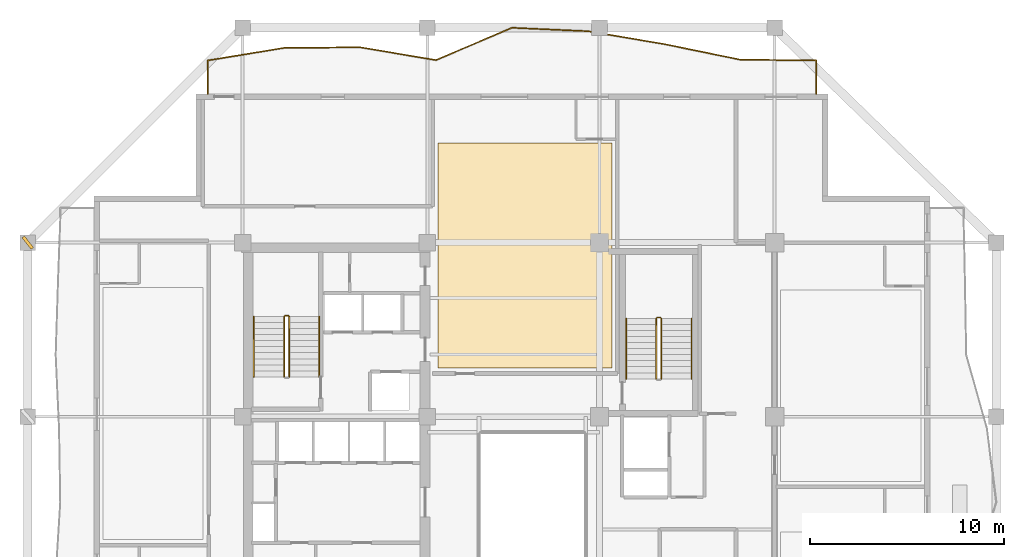
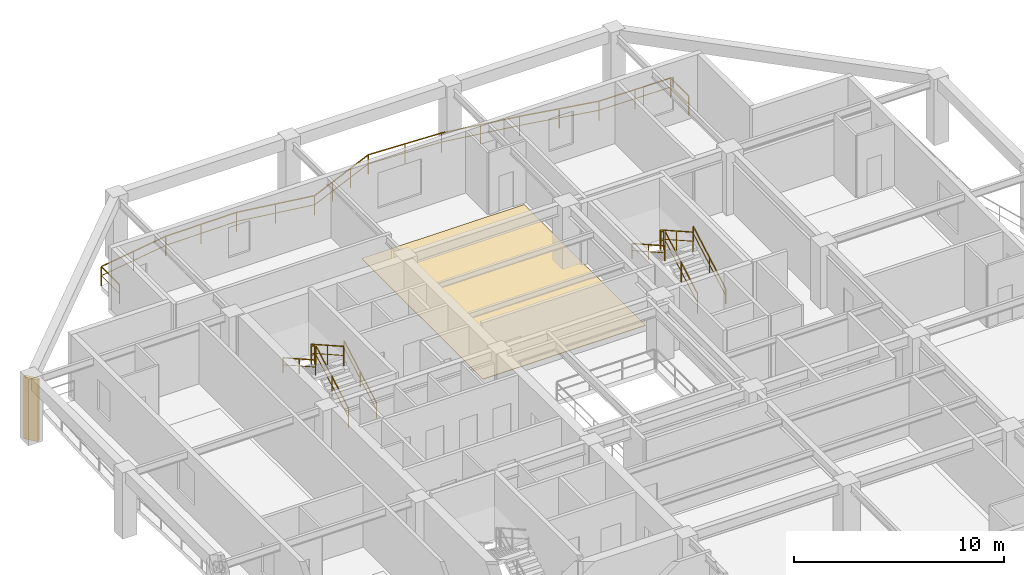
# One storey, part 11 of 12: 11 railings, 1 covering, 1 shading device.
"""IFC4 building model written with IfcOpenShell, lengths in metres."""

from ifc_helpers import new_model, si_unit, direction, frame, origin, origin_2d, place, context, subcontext, project, spatial, polyline, rectangle, outline, extrude, material, layer, layer_set, type_object, element, save


model = new_model("IFC4")

# Units and contexts
model_context = context("Model", 3, precision=1e-05, world=origin(), true_north=direction((0.0, 1.0)))
body_context = subcontext(model_context, "Body", "Model", "MODEL_VIEW")
ifc_project = project(units=[si_unit("LENGTHUNIT", "METRE"), si_unit("AREAUNIT", "SQUARE_METRE"), si_unit("VOLUMEUNIT", "CUBIC_METRE"), si_unit("PLANEANGLEUNIT", "RADIAN"), si_unit("MASSUNIT", "GRAM", prefix="KILO")], contexts=[model_context])

# Site, building, storey
site_placement = place(None, origin())
site = spatial("IfcSite", under=ifc_project, at=site_placement, CompositionType="ELEMENT")
building_placement = place(site_placement, origin())
building = spatial("IfcBuilding", under=site, at=building_placement, Name="Kundavana Baori Tower", CompositionType="ELEMENT")
storey_placement = place(building_placement, frame((0.0, 0.0, 157.89990234375)))
storey = spatial("IfcBuildingStorey", under=building, at=storey_placement, Name="L38", CompositionType="ELEMENT", Elevation=157.89990234375)

# Covering
ifc_material_1 = material(Name="Honed Kota Stone and Terrazzo Flooring", Category="masonry")
ifc_layer = layer(ifc_material_1, 0.030029296875, Name="COV-INT-FLR")
ifc_layer_set = layer_set([ifc_layer], Name="Honed Kota Stone and Terrazzo Flooring")
covering_type = type_object("IfcCoveringType", Name="COV-INT-FLR", PredefinedType="FLOORING", material=ifc_layer_set)
covering_placement = place(storey_placement, origin())
element("IfcCovering", 1, at=covering_placement, inside=storey, type_object=covering_type, Name="L38 Room Finished Stone Flooring 6", PredefinedType="FLOORING", context=body_context, shape_type="SweptSolid", body=[
    extrude(outline(polyline([(25.5, 35.5), (34.43994140625, 35.5), (34.43994140625, 47.070068359375), (25.5, 47.070068359375), (25.5, 35.5)])), origin(), (0.0, 0.0, 1.0), 0.030029296875),
])

# Railings
ifc_material_2 = material(Name="Architectural Patinated Bronze Metalwork")
railing_type_1 = type_object("IfcRailingType", Name="RL-BAL-1150", PredefinedType="BALUSTRADE", material=ifc_material_2)
railing_1_placement = place(storey_placement, frame((13.64990234375, 49.60009765625, 0.0)))
element("IfcRailing", 2, at=railing_1_placement, inside=storey, type_object=railing_type_1, Name="L38 Loggia Balcony Balustrade N", PredefinedType="BALUSTRADE", context=body_context, shape_type="SweptSolid", body=[
    extrude(rectangle(XDim=0.048095703125, YDim=0.048095703125, at=origin_2d()), frame((0.0, 0.0, 1.1259765625), z_axis=(0.0, 1.0, 0.0), x_axis=(-1.0, 0.0, 0.0)), (0.0, 0.0, 1.0), 1.719970703125),
    extrude(rectangle(XDim=0.03125, YDim=0.03125, at=origin_2d()), frame((0.0, 0.0, 0.597900390625), z_axis=(0.0, 1.0, 0.0), x_axis=(-1.0, 0.0, 0.0)), (0.0, 0.0, 1.0), 1.719970703125),
    extrude(rectangle(XDim=0.048095703125, YDim=0.048095703125, at=origin_2d()), frame((0.0, 1.719970703125, 1.1259765625), z_axis=(0.986806866027, 0.161901850398, 0.0), x_axis=(-0.161901850398, 0.986806866027, 0.0)), (0.0, 0.0, 1.0), 3.96435546875),
    extrude(rectangle(XDim=0.03125, YDim=0.03125, at=origin_2d()), frame((0.0, 1.719970703125, 0.597900390625), z_axis=(0.986806866027, 0.161901850398, 0.0), x_axis=(-0.161901850398, 0.986806866027, 0.0)), (0.0, 0.0, 1.0), 3.96435546875),
    extrude(rectangle(XDim=0.048095703125, YDim=0.048095703125, at=origin_2d()), frame((3.912109375, 2.36181640625, 1.1259765625), z_axis=(0.999955035557, 0.009482977627, 0.0), x_axis=(-0.009482977627, 0.999955035557, 0.0)), (0.0, 0.0, 1.0), 3.913330078125),
    extrude(rectangle(XDim=0.03125, YDim=0.03125, at=origin_2d()), frame((3.912109375, 2.36181640625, 0.597900390625), z_axis=(0.999955035557, 0.009482977627, 0.0), x_axis=(-0.009482977627, 0.999955035557, 0.0)), (0.0, 0.0, 1.0), 3.913330078125),
    extrude(rectangle(XDim=0.048095703125, YDim=0.048095703125, at=origin_2d()), frame((7.8251953125, 2.39892578125, 1.1259765625), z_axis=(0.986023986339, -0.166603416423, 0.0), x_axis=(0.166603416423, 0.986023986339, 0.0)), (0.0, 0.0, 1.0), 3.96826171875),
    extrude(rectangle(XDim=0.03125, YDim=0.03125, at=origin_2d()), frame((7.8251953125, 2.39892578125, 0.597900390625), z_axis=(0.986023986339, -0.166603416423, 0.0), x_axis=(0.166603416423, 0.986023986339, 0.0)), (0.0, 0.0, 1.0), 3.96826171875),
    extrude(rectangle(XDim=0.048095703125, YDim=0.048095703125, at=origin_2d()), frame((11.738037109375, 1.73779296875, 1.1259765625), z_axis=(0.920376399955, 0.391033607769, 0.0), x_axis=(-0.391033607769, 0.920376399955, 0.0)), (0.0, 0.0, 1.0), 4.25048828125),
    extrude(rectangle(XDim=0.03125, YDim=0.03125, at=origin_2d()), frame((11.738037109375, 1.73779296875, 0.597900390625), z_axis=(0.920376399955, 0.391033607769, 0.0), x_axis=(-0.391033607769, 0.920376399955, 0.0)), (0.0, 0.0, 1.0), 4.25048828125),
    extrude(rectangle(XDim=0.048095703125, YDim=0.048095703125, at=origin_2d()), frame((15.650146484375, 3.39990234375, 1.1259765625), z_axis=(0.998978412332, -0.045189951266, 0.0), x_axis=(0.045189951266, 0.998978412332, 0.0)), (0.0, 0.0, 1.0), 3.916748046875),
    extrude(rectangle(XDim=0.03125, YDim=0.03125, at=origin_2d()), frame((15.650146484375, 3.39990234375, 0.597900390625), z_axis=(0.998978412332, -0.045189951266, 0.0), x_axis=(0.045189951266, 0.998978412332, 0.0)), (0.0, 0.0, 1.0), 3.916748046875),
    extrude(rectangle(XDim=0.048095703125, YDim=0.048095703125, at=origin_2d()), frame((19.56298828125, 3.222900390625, 1.1259765625), z_axis=(0.986028970493, -0.166573915572, 0.0), x_axis=(0.166573915572, 0.986028970493, 0.0)), (0.0, 0.0, 1.0), 3.967529296875),
    extrude(rectangle(XDim=0.03125, YDim=0.03125, at=origin_2d()), frame((19.56298828125, 3.222900390625, 0.597900390625), z_axis=(0.986028970493, -0.166573915572, 0.0), x_axis=(0.166573915572, 0.986028970493, 0.0)), (0.0, 0.0, 1.0), 3.967529296875),
    extrude(rectangle(XDim=0.048095703125, YDim=0.048095703125, at=origin_2d()), frame((23.47509765625, 2.56201171875, 1.1259765625), z_axis=(0.979636312736, -0.200780215082, 0.0), x_axis=(0.200780215082, 0.979636312736, 0.0)), (0.0, 0.0, 1.0), 3.994384765625),
    extrude(rectangle(XDim=0.03125, YDim=0.03125, at=origin_2d()), frame((23.47509765625, 2.56201171875, 0.597900390625), z_axis=(0.979636312736, -0.200780215082, 0.0), x_axis=(0.200780215082, 0.979636312736, 0.0)), (0.0, 0.0, 1.0), 3.994384765625),
    extrude(rectangle(XDim=0.048095703125, YDim=0.048095703125, at=origin_2d()), frame((27.38818359375, 1.760009765625, 1.1259765625), z_axis=(0.999947623568, -0.010234750687, 0.0), x_axis=(0.010234750687, 0.999947623568, 0.0)), (0.0, 0.0, 1.0), 3.912109375),
    extrude(rectangle(XDim=0.03125, YDim=0.03125, at=origin_2d()), frame((27.38818359375, 1.760009765625, 0.597900390625), z_axis=(0.999947623568, -0.010234750687, 0.0), x_axis=(0.010234750687, 0.999947623568, 0.0)), (0.0, 0.0, 1.0), 3.912109375),
    extrude(rectangle(XDim=0.048095703125, YDim=0.048095703125, at=origin_2d()), frame((31.300048828125, 1.719970703125, 1.1259765625), z_axis=(0.0, -1.0, 0.0), x_axis=(1.0, 0.0, 0.0)), (0.0, 0.0, 1.0), 1.719970703125),
    extrude(rectangle(XDim=0.03125, YDim=0.03125, at=origin_2d()), frame((31.300048828125, 1.719970703125, 0.597900390625), z_axis=(0.0, -1.0, 0.0), x_axis=(1.0, 0.0, 0.0)), (0.0, 0.0, 1.0), 1.719970703125),
    extrude(rectangle(XDim=0.0419921875, YDim=0.0419921875, at=origin_2d()), origin(), (0.0, 0.0, 1.0), 1.101806640625),
    extrude(rectangle(XDim=0.0419921875, YDim=0.0419921875, at=origin_2d()), frame((0.0, 1.719970703125, 0.0)), (0.0, 0.0, 1.0), 1.101806640625),
    extrude(rectangle(XDim=0.0419921875, YDim=0.0419921875, at=origin_2d()), frame((1.9560546875, 2.041015625, 0.0)), (0.0, 0.0, 1.0), 1.101806640625),
    extrude(rectangle(XDim=0.0419921875, YDim=0.0419921875, at=origin_2d()), frame((3.912109375, 2.36181640625, 0.0)), (0.0, 0.0, 1.0), 1.101806640625),
    extrude(rectangle(XDim=0.0419921875, YDim=0.0419921875, at=origin_2d()), frame((5.86865234375, 2.38037109375, 0.0)), (0.0, 0.0, 1.0), 1.101806640625),
    extrude(rectangle(XDim=0.0419921875, YDim=0.0419921875, at=origin_2d()), frame((7.8251953125, 2.39892578125, 0.0)), (0.0, 0.0, 1.0), 1.101806640625),
    extrude(rectangle(XDim=0.0419921875, YDim=0.0419921875, at=origin_2d()), frame((9.78173828125, 2.068359375, 0.0)), (0.0, 0.0, 1.0), 1.101806640625),
    extrude(rectangle(XDim=0.0419921875, YDim=0.0419921875, at=origin_2d()), frame((11.738037109375, 1.73779296875, 0.0)), (0.0, 0.0, 1.0), 1.101806640625),
    extrude(rectangle(XDim=0.0419921875, YDim=0.0419921875, at=origin_2d()), frame((13.0419921875, 2.291748046875, 0.0)), (0.0, 0.0, 1.0), 1.101806640625),
    extrude(rectangle(XDim=0.0419921875, YDim=0.0419921875, at=origin_2d()), frame((14.34619140625, 2.845947265625, 0.0)), (0.0, 0.0, 1.0), 1.101806640625),
    extrude(rectangle(XDim=0.0419921875, YDim=0.0419921875, at=origin_2d()), frame((15.650146484375, 3.39990234375, 0.0)), (0.0, 0.0, 1.0), 1.101806640625),
    extrude(rectangle(XDim=0.0419921875, YDim=0.0419921875, at=origin_2d()), frame((17.6064453125, 3.3115234375, 0.0)), (0.0, 0.0, 1.0), 1.101806640625),
    extrude(rectangle(XDim=0.0419921875, YDim=0.0419921875, at=origin_2d()), frame((19.56298828125, 3.222900390625, 0.0)), (0.0, 0.0, 1.0), 1.101806640625),
    extrude(rectangle(XDim=0.0419921875, YDim=0.0419921875, at=origin_2d()), frame((21.51904296875, 2.892578125, 0.0)), (0.0, 0.0, 1.0), 1.101806640625),
    extrude(rectangle(XDim=0.0419921875, YDim=0.0419921875, at=origin_2d()), frame((23.47509765625, 2.56201171875, 0.0)), (0.0, 0.0, 1.0), 1.101806640625),
    extrude(rectangle(XDim=0.0419921875, YDim=0.0419921875, at=origin_2d()), frame((25.431640625, 2.1611328125, 0.0)), (0.0, 0.0, 1.0), 1.101806640625),
    extrude(rectangle(XDim=0.0419921875, YDim=0.0419921875, at=origin_2d()), frame((27.38818359375, 1.760009765625, 0.0)), (0.0, 0.0, 1.0), 1.101806640625),
    extrude(rectangle(XDim=0.0419921875, YDim=0.0419921875, at=origin_2d()), frame((29.34423828125, 1.739990234375, 0.0)), (0.0, 0.0, 1.0), 1.101806640625),
    extrude(rectangle(XDim=0.0419921875, YDim=0.0419921875, at=origin_2d()), frame((31.300048828125, 1.719970703125, 0.0)), (0.0, 0.0, 1.0), 1.101806640625),
    extrude(rectangle(XDim=0.0419921875, YDim=0.0419921875, at=origin_2d()), frame((31.300048828125, 0.0, 0.0)), (0.0, 0.0, 1.0), 1.101806640625),
])
ifc_material_3 = material(Name="Architectural Patinated Bronze Metalwork")
railing_type_2 = type_object("IfcRailingType", Name="RL-GRD-1150", PredefinedType="GUARDRAIL", material=ifc_material_3)
railing_2_placement = place(storey_placement, frame((17.840087890625, 35.050048828125, 0.175048828125)))
element("IfcRailing", 3, at=railing_2_placement, inside=storey, type_object=railing_type_2, Name="L38 ST2 stair guard 1", PredefinedType="GUARDRAIL", context=body_context, shape_type="SweptSolid", body=[
    extrude(rectangle(XDim=0.048095703125, YDim=0.048095703125, at=origin_2d()), frame((0.0, 0.0, 1.1259765625), z_axis=(0.0, 0.870814364268, 0.491611984175), x_axis=(-1.0, 0.0, 0.0)), (0.0, 0.0, 1.0), 3.559814453125),
    extrude(rectangle(XDim=0.03125, YDim=0.03125, at=origin_2d()), frame((0.0, 0.0, 0.597900390625), z_axis=(0.0, 0.870814364268, 0.491611984175), x_axis=(-1.0, 0.0, 0.0)), (0.0, 0.0, 1.0), 3.559814453125),
    extrude(rectangle(XDim=0.0419921875, YDim=0.0419921875, at=origin_2d()), origin(), (0.0, 0.0, 1.0), 1.101806640625),
    extrude(rectangle(XDim=0.0419921875, YDim=0.0419921875, at=origin_2d()), frame((0.0, 1.5498046875, 0.875)), (0.0, 0.0, 1.0), 1.101806640625),
    extrude(rectangle(XDim=0.0419921875, YDim=0.0419921875, at=origin_2d()), frame((0.0, 3.099853515625, 1.75)), (0.0, 0.0, 1.0), 1.101806640625),
])
railing_3_placement = place(storey_placement, frame((17.7900390625, 38.199951171875, 1.925048828125)))
element("IfcRailing", 4, at=railing_3_placement, inside=storey, type_object=railing_type_2, Name="L38 ST2 stair guard 2", PredefinedType="GUARDRAIL", context=body_context, shape_type="SweptSolid", body=[
    extrude(rectangle(XDim=0.048095703125, YDim=0.048095703125, at=origin_2d()), frame((0.0, 0.0, 1.1259765625), z_axis=(-1.0, 0.0, 0.0), x_axis=(0.0, -1.0, 0.0)), (0.0, 0.0, 1.0), 0.16015625),
    extrude(rectangle(XDim=0.03125, YDim=0.03125, at=origin_2d()), frame((0.0, 0.0, 0.597900390625), z_axis=(-1.0, 0.0, 0.0), x_axis=(0.0, -1.0, 0.0)), (0.0, 0.0, 1.0), 0.16015625),
    extrude(rectangle(XDim=0.0419921875, YDim=0.0419921875, at=origin_2d()), origin(), (0.0, 0.0, 1.0), 1.101806640625),
    extrude(rectangle(XDim=0.0419921875, YDim=0.0419921875, at=origin_2d()), frame((-0.16015625, 0.0, 0.0)), (0.0, 0.0, 1.0), 1.101806640625),
])
railing_4_placement = place(storey_placement, frame((17.580078125, 38.14990234375, 2.10009765625)))
element("IfcRailing", 5, at=railing_4_placement, inside=storey, type_object=railing_type_2, Name="L38 ST2 stair guard 3", PredefinedType="GUARDRAIL", context=body_context, shape_type="SweptSolid", body=[
    extrude(rectangle(XDim=0.048095703125, YDim=0.048095703125, at=origin_2d()), frame((0.0, 0.0, 1.1259765625), z_axis=(0.0, -0.870814364268, 0.491611984175), x_axis=(1.0, 0.0, 0.0)), (0.0, 0.0, 1.0), 3.559814453125),
    extrude(rectangle(XDim=0.03125, YDim=0.03125, at=origin_2d()), frame((0.0, 0.0, 0.597900390625), z_axis=(0.0, -0.870814364268, 0.491611984175), x_axis=(1.0, 0.0, 0.0)), (0.0, 0.0, 1.0), 3.559814453125),
    extrude(rectangle(XDim=0.0419921875, YDim=0.0419921875, at=origin_2d()), origin(), (0.0, 0.0, 1.0), 1.101806640625),
    extrude(rectangle(XDim=0.0419921875, YDim=0.0419921875, at=origin_2d()), frame((0.0, -1.5498046875, 0.875)), (0.0, 0.0, 1.0), 1.101806640625),
    extrude(rectangle(XDim=0.0419921875, YDim=0.0419921875, at=origin_2d()), frame((0.0, -3.099853515625, 1.75)), (0.0, 0.0, 1.0), 1.101806640625),
])
railing_5_placement = place(storey_placement, frame((36.97998046875, 34.949951171875, 0.175048828125)))
element("IfcRailing", 6, at=railing_5_placement, inside=storey, type_object=railing_type_2, Name="L38 ST3 stair guard 1", PredefinedType="GUARDRAIL", context=body_context, shape_type="SweptSolid", body=[
    extrude(rectangle(XDim=0.048095703125, YDim=0.048095703125, at=origin_2d()), frame((0.0, 0.0, 1.1259765625), z_axis=(0.0, 0.870830938388, 0.491582624537), x_axis=(-1.0, 0.0, 0.0)), (0.0, 0.0, 1.0), 3.559814453125),
    extrude(rectangle(XDim=0.03125, YDim=0.03125, at=origin_2d()), frame((0.0, 0.0, 0.597900390625), z_axis=(0.0, 0.870830938388, 0.491582624537), x_axis=(-1.0, 0.0, 0.0)), (0.0, 0.0, 1.0), 3.559814453125),
    extrude(rectangle(XDim=0.0419921875, YDim=0.0419921875, at=origin_2d()), origin(), (0.0, 0.0, 1.0), 1.101806640625),
    extrude(rectangle(XDim=0.0419921875, YDim=0.0419921875, at=origin_2d()), frame((0.0, 1.550048828125, 0.875)), (0.0, 0.0, 1.0), 1.101806640625),
    extrude(rectangle(XDim=0.0419921875, YDim=0.0419921875, at=origin_2d()), frame((0.0, 3.10009765625, 1.75)), (0.0, 0.0, 1.0), 1.101806640625),
])
railing_6_placement = place(storey_placement, frame((36.929931640625, 38.10009765625, 1.925048828125)))
element("IfcRailing", 7, at=railing_6_placement, inside=storey, type_object=railing_type_2, Name="L38 ST3 stair guard 2", PredefinedType="GUARDRAIL", context=body_context, shape_type="SweptSolid", body=[
    extrude(rectangle(XDim=0.048095703125, YDim=0.048095703125, at=origin_2d()), frame((0.0, 0.0, 1.1259765625), z_axis=(-1.0, 0.0, 0.0), x_axis=(0.0, -1.0, 0.0)), (0.0, 0.0, 1.0), 0.159912109375),
    extrude(rectangle(XDim=0.03125, YDim=0.03125, at=origin_2d()), frame((0.0, 0.0, 0.597900390625), z_axis=(-1.0, 0.0, 0.0), x_axis=(0.0, -1.0, 0.0)), (0.0, 0.0, 1.0), 0.159912109375),
    extrude(rectangle(XDim=0.0419921875, YDim=0.0419921875, at=origin_2d()), origin(), (0.0, 0.0, 1.0), 1.101806640625),
    extrude(rectangle(XDim=0.0419921875, YDim=0.0419921875, at=origin_2d()), frame((-0.159912109375, 0.0, 0.0)), (0.0, 0.0, 1.0), 1.101806640625),
])
railing_7_placement = place(storey_placement, frame((36.719970703125, 38.050048828125, 2.10009765625)))
element("IfcRailing", 8, at=railing_7_placement, inside=storey, type_object=railing_type_2, Name="L38 ST3 stair guard 3", PredefinedType="GUARDRAIL", context=body_context, shape_type="SweptSolid", body=[
    extrude(rectangle(XDim=0.048095703125, YDim=0.048095703125, at=origin_2d()), frame((0.0, 0.0, 1.1259765625), z_axis=(0.0, -0.870830938388, 0.491582624537), x_axis=(1.0, 0.0, 0.0)), (0.0, 0.0, 1.0), 3.559814453125),
    extrude(rectangle(XDim=0.03125, YDim=0.03125, at=origin_2d()), frame((0.0, 0.0, 0.597900390625), z_axis=(0.0, -0.870830938388, 0.491582624537), x_axis=(1.0, 0.0, 0.0)), (0.0, 0.0, 1.0), 3.559814453125),
    extrude(rectangle(XDim=0.0419921875, YDim=0.0419921875, at=origin_2d()), origin(), (0.0, 0.0, 1.0), 1.101806640625),
    extrude(rectangle(XDim=0.0419921875, YDim=0.0419921875, at=origin_2d()), frame((0.0, -1.550048828125, 0.875)), (0.0, 0.0, 1.0), 1.101806640625),
    extrude(rectangle(XDim=0.0419921875, YDim=0.0419921875, at=origin_2d()), frame((0.0, -3.10009765625, 1.75)), (0.0, 0.0, 1.0), 1.101806640625),
])
ifc_material_4 = material(Name="Architectural Patinated Bronze Metalwork")
railing_type_3 = type_object("IfcRailingType", Name="RL-HND-920", PredefinedType="HANDRAIL", material=ifc_material_4)
railing_8_placement = place(storey_placement, frame((19.389892578125, 35.050048828125, 0.175048828125)))
element("IfcRailing", 9, at=railing_8_placement, inside=storey, type_object=railing_type_3, Name="L38 ST2 stair handrail 1", PredefinedType="HANDRAIL", context=body_context, shape_type="SweptSolid", body=[
    extrude(rectangle(XDim=0.048095703125, YDim=0.048095703125, at=origin_2d()), frame((0.0, 0.0, 0.8759765625), z_axis=(0.0, 0.870814364268, 0.491611984175), x_axis=(-1.0, 0.0, 0.0)), (0.0, 0.0, 1.0), 3.559814453125),
    extrude(rectangle(XDim=0.03125, YDim=0.03125, at=origin_2d()), frame((0.0, 0.0, 0.468017578125), z_axis=(0.0, 0.870814364268, 0.491611984175), x_axis=(-1.0, 0.0, 0.0)), (0.0, 0.0, 1.0), 3.559814453125),
    extrude(rectangle(XDim=0.0419921875, YDim=0.0419921875, at=origin_2d()), origin(), (0.0, 0.0, 1.0), 0.851806640625),
    extrude(rectangle(XDim=0.0419921875, YDim=0.0419921875, at=origin_2d()), frame((0.0, 1.5498046875, 0.875)), (0.0, 0.0, 1.0), 0.851806640625),
    extrude(rectangle(XDim=0.0419921875, YDim=0.0419921875, at=origin_2d()), frame((0.0, 3.099853515625, 1.75)), (0.0, 0.0, 1.0), 0.851806640625),
])
railing_9_placement = place(storey_placement, frame((16.030029296875, 38.14990234375, 2.10009765625)))
element("IfcRailing", 10, at=railing_9_placement, inside=storey, type_object=railing_type_3, Name="L38 ST2 stair handrail 2", PredefinedType="HANDRAIL", context=body_context, shape_type="SweptSolid", body=[
    extrude(rectangle(XDim=0.048095703125, YDim=0.048095703125, at=origin_2d()), frame((0.0, 0.0, 0.8759765625), z_axis=(0.0, -0.870814364268, 0.491611984175), x_axis=(1.0, 0.0, 0.0)), (0.0, 0.0, 1.0), 3.559814453125),
    extrude(rectangle(XDim=0.03125, YDim=0.03125, at=origin_2d()), frame((0.0, 0.0, 0.468017578125), z_axis=(0.0, -0.870814364268, 0.491611984175), x_axis=(1.0, 0.0, 0.0)), (0.0, 0.0, 1.0), 3.559814453125),
    extrude(rectangle(XDim=0.0419921875, YDim=0.0419921875, at=origin_2d()), origin(), (0.0, 0.0, 1.0), 0.851806640625),
    extrude(rectangle(XDim=0.0419921875, YDim=0.0419921875, at=origin_2d()), frame((0.0, -1.5498046875, 0.875)), (0.0, 0.0, 1.0), 0.851806640625),
    extrude(rectangle(XDim=0.0419921875, YDim=0.0419921875, at=origin_2d()), frame((0.0, -3.099853515625, 1.75)), (0.0, 0.0, 1.0), 0.851806640625),
])
railing_10_placement = place(storey_placement, frame((38.530029296875, 34.949951171875, 0.175048828125)))
element("IfcRailing", 11, at=railing_10_placement, inside=storey, type_object=railing_type_3, Name="L38 ST3 stair handrail 1", PredefinedType="HANDRAIL", context=body_context, shape_type="SweptSolid", body=[
    extrude(rectangle(XDim=0.048095703125, YDim=0.048095703125, at=origin_2d()), frame((0.0, 0.0, 0.8759765625), z_axis=(0.0, 0.870830938388, 0.491582624537), x_axis=(-1.0, 0.0, 0.0)), (0.0, 0.0, 1.0), 3.559814453125),
    extrude(rectangle(XDim=0.03125, YDim=0.03125, at=origin_2d()), frame((0.0, 0.0, 0.468017578125), z_axis=(0.0, 0.870830938388, 0.491582624537), x_axis=(-1.0, 0.0, 0.0)), (0.0, 0.0, 1.0), 3.559814453125),
    extrude(rectangle(XDim=0.0419921875, YDim=0.0419921875, at=origin_2d()), origin(), (0.0, 0.0, 1.0), 0.851806640625),
    extrude(rectangle(XDim=0.0419921875, YDim=0.0419921875, at=origin_2d()), frame((0.0, 1.550048828125, 0.875)), (0.0, 0.0, 1.0), 0.851806640625),
    extrude(rectangle(XDim=0.0419921875, YDim=0.0419921875, at=origin_2d()), frame((0.0, 3.10009765625, 1.75)), (0.0, 0.0, 1.0), 0.851806640625),
])
railing_11_placement = place(storey_placement, frame((35.169921875, 38.050048828125, 2.10009765625)))
element("IfcRailing", 12, at=railing_11_placement, inside=storey, type_object=railing_type_3, Name="L38 ST3 stair handrail 2", PredefinedType="HANDRAIL", context=body_context, shape_type="SweptSolid", body=[
    extrude(rectangle(XDim=0.048095703125, YDim=0.048095703125, at=origin_2d()), frame((0.0, 0.0, 0.8759765625), z_axis=(0.0, -0.870830938388, 0.491582624537), x_axis=(1.0, 0.0, 0.0)), (0.0, 0.0, 1.0), 3.559814453125),
    extrude(rectangle(XDim=0.03125, YDim=0.03125, at=origin_2d()), frame((0.0, 0.0, 0.468017578125), z_axis=(0.0, -0.870830938388, 0.491582624537), x_axis=(1.0, 0.0, 0.0)), (0.0, 0.0, 1.0), 3.559814453125),
    extrude(rectangle(XDim=0.0419921875, YDim=0.0419921875, at=origin_2d()), origin(), (0.0, 0.0, 1.0), 0.851806640625),
    extrude(rectangle(XDim=0.0419921875, YDim=0.0419921875, at=origin_2d()), frame((0.0, -1.550048828125, 0.875)), (0.0, 0.0, 1.0), 0.851806640625),
    extrude(rectangle(XDim=0.0419921875, YDim=0.0419921875, at=origin_2d()), frame((0.0, -3.10009765625, 1.75)), (0.0, 0.0, 1.0), 0.851806640625),
])

# Shading device
ifc_material_5 = material(Name="Red-Buff Dholpur Sandstone Cladding on Concrete C40/50", Category="masonry")
shading_device_type = type_object("IfcShadingDeviceType", Name="SHD-FIN-750", PredefinedType="JALOUSIE", material=ifc_material_5)
shading_device_placement = place(storey_placement, frame((4.39990234375, 41.949951171875, 0.0), z_axis=(0.0, 0.0, 1.0), x_axis=(0.784018582101, 0.620737354217, 0.0)))
element("IfcShadingDevice", 13, at=shading_device_placement, inside=storey, type_object=shading_device_type, Name="L38 Sweeping Dholpur Sandstone Facade Fin 8", PredefinedType="JALOUSIE", context=body_context, shape_type="SweptSolid", body=[
    extrude(rectangle(XDim=0.159912109375, YDim=0.75, at=origin_2d()), origin(), (0.0, 0.0, 1.0), 3.60009765625),
])

save(model, "model.ifc")
